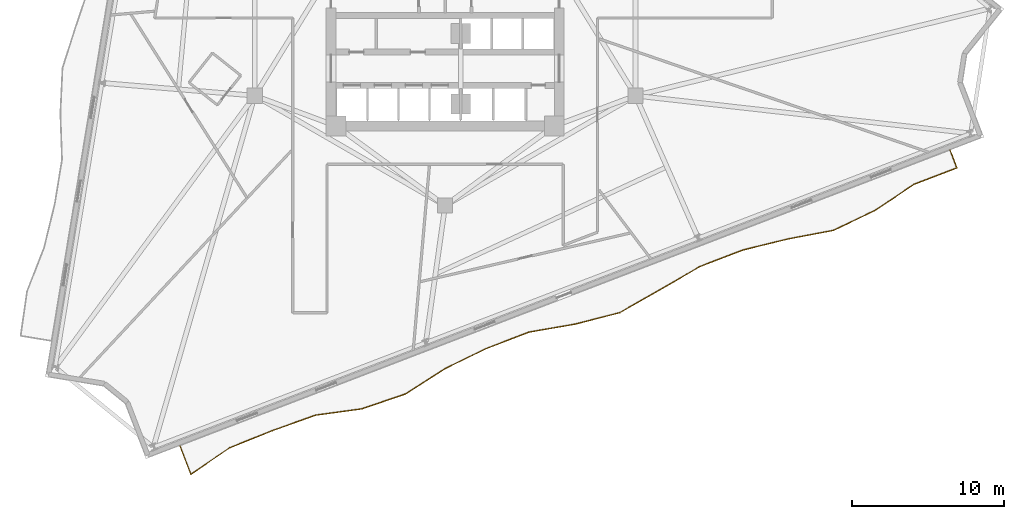
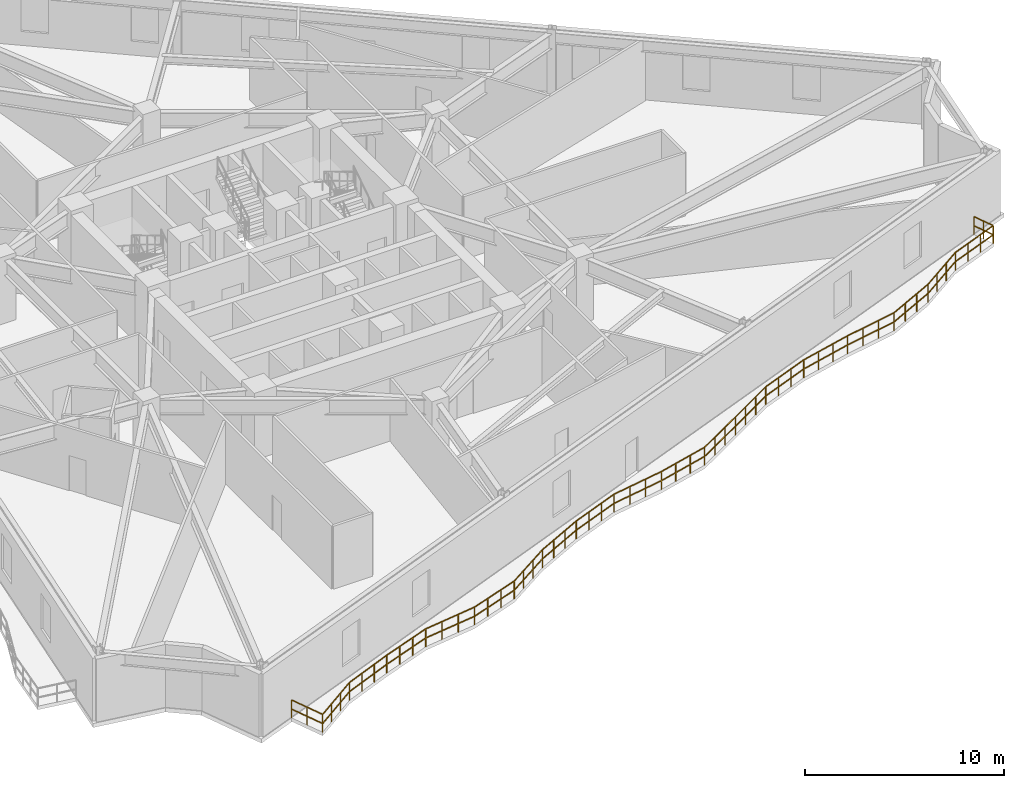
# One storey, part 8 of 11: 1 railing.
"""IFC4 building model written with IfcOpenShell, lengths in metres."""

from ifc_helpers import new_model, si_unit, direction, frame, origin, origin_2d, place, context, subcontext, project, spatial, rectangle, extrude, material, type_object, element, save


model = new_model("IFC4")

# Units and contexts
model_context = context("Model", 3, precision=1e-05, world=origin(), true_north=direction((0.0, 1.0)))
body_context = subcontext(model_context, "Body", "Model", "MODEL_VIEW")
ifc_project = project(units=[si_unit("LENGTHUNIT", "METRE"), si_unit("AREAUNIT", "SQUARE_METRE"), si_unit("VOLUMEUNIT", "CUBIC_METRE"), si_unit("PLANEANGLEUNIT", "RADIAN"), si_unit("MASSUNIT", "GRAM", prefix="KILO")], contexts=[model_context])

# Site, building, storey
site_placement = place(None, origin())
site = spatial("IfcSite", under=ifc_project, at=site_placement, CompositionType="ELEMENT")
building_placement = place(site_placement, origin())
building = spatial("IfcBuilding", under=site, at=building_placement, Name="Apsidion Concourse Tower", CompositionType="ELEMENT")
storey_placement = place(building_placement, frame((0.0, 0.0, 140.39990234375)))
storey = spatial("IfcBuildingStorey", under=building, at=storey_placement, Name="L32", CompositionType="ELEMENT", Elevation=140.39990234375)

# Railing
ifc_material = material(Name="Brushed stainless steel 316", Category="steel")
railing_type = type_object("IfcRailingType", Name="RL-BAL-1120", PredefinedType="BALUSTRADE", material=ifc_material)
railing_placement = place(storey_placement, frame((33.314208984375, -10.847900390625, 0.0)))
element("IfcRailing", 1, at=railing_placement, inside=storey, type_object=railing_type, Name="L32 Face 2 Rippling Balcony Balustrade", PredefinedType="BALUSTRADE", context=body_context, shape_type="SweptSolid", body=[
    extrude(rectangle(XDim=0.048095703125, YDim=0.048095703125, at=origin_2d()), frame((0.0, 0.0, 1.09619140625), z_axis=(0.358390063807, -0.933571937327, 0.0), x_axis=(0.933571937327, 0.358390063807, 0.0)), (0.0, 0.0, 1.0), 1.25),
    extrude(rectangle(XDim=0.048095703125, YDim=0.048095703125, at=origin_2d()), frame((0.0, 0.0, 0.5361328125), z_axis=(0.358390063807, -0.933571937327, 0.0), x_axis=(0.933571937327, 0.358390063807, 0.0)), (0.0, 0.0, 1.0), 1.25),
    extrude(rectangle(XDim=0.048095703125, YDim=0.048095703125, at=origin_2d()), frame((0.447998046875, -1.1669921875, 1.09619140625), z_axis=(-0.93357015714, -0.35839470099, 0.0), x_axis=(0.35839470099, -0.93357015714, 0.0)), (0.0, 0.0, 1.0), 3.02392578125),
    extrude(rectangle(XDim=0.048095703125, YDim=0.048095703125, at=origin_2d()), frame((0.447998046875, -1.1669921875, 0.5361328125), z_axis=(-0.93357015714, -0.35839470099, 0.0), x_axis=(0.35839470099, -0.93357015714, 0.0)), (0.0, 0.0, 1.0), 3.02392578125),
    extrude(rectangle(XDim=0.048095703125, YDim=0.048095703125, at=origin_2d()), frame((-2.375, -2.250732421875, 1.09619140625), z_axis=(-0.831128465171, -0.556080456754, 0.0), x_axis=(0.556080456754, -0.831128465171, 0.0)), (0.0, 0.0, 1.0), 3.1005859375),
    extrude(rectangle(XDim=0.048095703125, YDim=0.048095703125, at=origin_2d()), frame((-2.375, -2.250732421875, 0.5361328125), z_axis=(-0.831128465171, -0.556080456754, 0.0), x_axis=(0.556080456754, -0.831128465171, 0.0)), (0.0, 0.0, 1.0), 3.1005859375),
    extrude(rectangle(XDim=0.048095703125, YDim=0.048095703125, at=origin_2d()), frame((-4.951904296875, -3.974853515625, 1.09619140625), z_axis=(-0.901833015553, -0.432084727869, 0.0), x_axis=(0.432084727869, -0.901833015553, 0.0)), (0.0, 0.0, 1.0), 3.03369140625),
    extrude(rectangle(XDim=0.048095703125, YDim=0.048095703125, at=origin_2d()), frame((-4.951904296875, -3.974853515625, 0.5361328125), z_axis=(-0.901833015553, -0.432084727869, 0.0), x_axis=(0.432084727869, -0.901833015553, 0.0)), (0.0, 0.0, 1.0), 3.03369140625),
    extrude(rectangle(XDim=0.048095703125, YDim=0.048095703125, at=origin_2d()), frame((-7.687744140625, -5.28564453125, 1.09619140625), z_axis=(-0.9823336974, -0.18713766845, 0.0), x_axis=(0.18713766845, -0.9823336974, 0.0)), (0.0, 0.0, 1.0), 3.072265625),
    extrude(rectangle(XDim=0.048095703125, YDim=0.048095703125, at=origin_2d()), frame((-7.687744140625, -5.28564453125, 0.5361328125), z_axis=(-0.9823336974, -0.18713766845, 0.0), x_axis=(0.18713766845, -0.9823336974, 0.0)), (0.0, 0.0, 1.0), 3.072265625),
    extrude(rectangle(XDim=0.048095703125, YDim=0.048095703125, at=origin_2d()), frame((-10.705810546875, -5.860595703125, 1.09619140625), z_axis=(-0.971332046535, -0.237726850344, 0.0), x_axis=(0.237726850344, -0.971332046535, 0.0)), (0.0, 0.0, 1.0), 3.048095703125),
    extrude(rectangle(XDim=0.048095703125, YDim=0.048095703125, at=origin_2d()), frame((-10.705810546875, -5.860595703125, 0.5361328125), z_axis=(-0.971332046535, -0.237726850344, 0.0), x_axis=(0.237726850344, -0.971332046535, 0.0)), (0.0, 0.0, 1.0), 3.048095703125),
    extrude(rectangle(XDim=0.048095703125, YDim=0.048095703125, at=origin_2d()), frame((-13.66650390625, -6.585205078125, 1.09619140625), z_axis=(-0.933597169026, -0.358324330722, 0.0), x_axis=(0.358324330722, -0.933597169026, 0.0)), (0.0, 0.0, 1.0), 3.023681640625),
    extrude(rectangle(XDim=0.048095703125, YDim=0.048095703125, at=origin_2d()), frame((-13.66650390625, -6.585205078125, 0.5361328125), z_axis=(-0.933597169026, -0.358324330722, 0.0), x_axis=(0.358324330722, -0.933597169026, 0.0)), (0.0, 0.0, 1.0), 3.023681640625),
    extrude(rectangle(XDim=0.048095703125, YDim=0.048095703125, at=origin_2d()), frame((-16.489501953125, -7.668701171875, 1.09619140625), z_axis=(-0.864892772941, -0.501956662785, 0.0), x_axis=(0.501956662785, -0.864892772941, 0.0)), (0.0, 0.0, 1.0), 3.062744140625),
    extrude(rectangle(XDim=0.048095703125, YDim=0.048095703125, at=origin_2d()), frame((-16.489501953125, -7.668701171875, 0.5361328125), z_axis=(-0.864892772941, -0.501956662785, 0.0), x_axis=(0.501956662785, -0.864892772941, 0.0)), (0.0, 0.0, 1.0), 3.062744140625),
    extrude(rectangle(XDim=0.048095703125, YDim=0.048095703125, at=origin_2d()), frame((-19.138427734375, -9.2060546875, 1.09619140625), z_axis=(-0.868861393275, -0.495055430509, 0.0), x_axis=(0.495055430509, -0.868861393275, 0.0)), (0.0, 0.0, 1.0), 3.05859375),
    extrude(rectangle(XDim=0.048095703125, YDim=0.048095703125, at=origin_2d()), frame((-19.138427734375, -9.2060546875, 0.5361328125), z_axis=(-0.868861393275, -0.495055430509, 0.0), x_axis=(0.495055430509, -0.868861393275, 0.0)), (0.0, 0.0, 1.0), 3.05859375),
    extrude(rectangle(XDim=0.048095703125, YDim=0.048095703125, at=origin_2d()), frame((-21.7958984375, -10.72021484375, 1.09619140625), z_axis=(-0.968492932597, -0.249041039811, 0.0), x_axis=(0.249041039811, -0.968492932597, 0.0)), (0.0, 0.0, 1.0), 3.0439453125),
    extrude(rectangle(XDim=0.048095703125, YDim=0.048095703125, at=origin_2d()), frame((-21.7958984375, -10.72021484375, 0.5361328125), z_axis=(-0.968492932597, -0.249041039811, 0.0), x_axis=(0.249041039811, -0.968492932597, 0.0)), (0.0, 0.0, 1.0), 3.0439453125),
    extrude(rectangle(XDim=0.048095703125, YDim=0.048095703125, at=origin_2d()), frame((-24.743896484375, -11.478271484375, 1.09619140625), z_axis=(-0.98538043756, -0.170368404565, 0.0), x_axis=(0.170368404565, -0.98538043756, 0.0)), (0.0, 0.0, 1.0), 3.08251953125),
    extrude(rectangle(XDim=0.048095703125, YDim=0.048095703125, at=origin_2d()), frame((-24.743896484375, -11.478271484375, 0.5361328125), z_axis=(-0.98538043756, -0.170368404565, 0.0), x_axis=(0.170368404565, -0.98538043756, 0.0)), (0.0, 0.0, 1.0), 3.08251953125),
    extrude(rectangle(XDim=0.048095703125, YDim=0.048095703125, at=origin_2d()), frame((-27.78125, -12.00341796875, 1.09619140625), z_axis=(-0.933597169026, -0.358324330722, 0.0), x_axis=(0.358324330722, -0.933597169026, 0.0)), (0.0, 0.0, 1.0), 3.023681640625),
    extrude(rectangle(XDim=0.048095703125, YDim=0.048095703125, at=origin_2d()), frame((-27.78125, -12.00341796875, 0.5361328125), z_axis=(-0.933597169026, -0.358324330722, 0.0), x_axis=(0.358324330722, -0.933597169026, 0.0)), (0.0, 0.0, 1.0), 3.023681640625),
    extrude(rectangle(XDim=0.048095703125, YDim=0.048095703125, at=origin_2d()), frame((-30.604248046875, -13.0869140625, 1.09619140625), z_axis=(-0.898949262474, -0.438052763371, 0.0), x_axis=(0.438052763371, -0.898949262474, 0.0)), (0.0, 0.0, 1.0), 3.03515625),
    extrude(rectangle(XDim=0.048095703125, YDim=0.048095703125, at=origin_2d()), frame((-30.604248046875, -13.0869140625, 0.5361328125), z_axis=(-0.898949262474, -0.438052763371, 0.0), x_axis=(0.438052763371, -0.898949262474, 0.0)), (0.0, 0.0, 1.0), 3.03515625),
    extrude(rectangle(XDim=0.048095703125, YDim=0.048095703125, at=origin_2d()), frame((-33.332763671875, -14.41650390625, 1.09619140625), z_axis=(-0.841748318247, -0.539870140615, 0.0), x_axis=(0.539870140615, -0.841748318247, 0.0)), (0.0, 0.0, 1.0), 3.087646484375),
    extrude(rectangle(XDim=0.048095703125, YDim=0.048095703125, at=origin_2d()), frame((-33.332763671875, -14.41650390625, 0.5361328125), z_axis=(-0.841748318247, -0.539870140615, 0.0), x_axis=(0.539870140615, -0.841748318247, 0.0)), (0.0, 0.0, 1.0), 3.087646484375),
    extrude(rectangle(XDim=0.048095703125, YDim=0.048095703125, at=origin_2d()), frame((-35.931884765625, -16.08349609375, 1.09619140625), z_axis=(-0.946185442012, -0.323624951642, 0.0), x_axis=(0.323624951642, -0.946185442012, 0.0)), (0.0, 0.0, 1.0), 3.02587890625),
    extrude(rectangle(XDim=0.048095703125, YDim=0.048095703125, at=origin_2d()), frame((-35.931884765625, -16.08349609375, 0.5361328125), z_axis=(-0.946185442012, -0.323624951642, 0.0), x_axis=(0.323624951642, -0.946185442012, 0.0)), (0.0, 0.0, 1.0), 3.02587890625),
    extrude(rectangle(XDim=0.048095703125, YDim=0.048095703125, at=origin_2d()), frame((-38.794921875, -17.062744140625, 1.09619140625), z_axis=(-0.990708256706, -0.136004228226, 0.0), x_axis=(0.136004228226, -0.990708256706, 0.0)), (0.0, 0.0, 1.0), 3.10546875),
    extrude(rectangle(XDim=0.048095703125, YDim=0.048095703125, at=origin_2d()), frame((-38.794921875, -17.062744140625, 0.5361328125), z_axis=(-0.990708256706, -0.136004228226, 0.0), x_axis=(0.136004228226, -0.990708256706, 0.0)), (0.0, 0.0, 1.0), 3.10546875),
    extrude(rectangle(XDim=0.048095703125, YDim=0.048095703125, at=origin_2d()), frame((-41.87158203125, -17.485107421875, 1.09619140625), z_axis=(-0.941443862858, -0.337169768941, 0.0), x_axis=(0.337169768941, -0.941443862858, 0.0)), (0.0, 0.0, 1.0), 3.0244140625),
    extrude(rectangle(XDim=0.048095703125, YDim=0.048095703125, at=origin_2d()), frame((-41.87158203125, -17.485107421875, 0.5361328125), z_axis=(-0.941443862858, -0.337169768941, 0.0), x_axis=(0.337169768941, -0.941443862858, 0.0)), (0.0, 0.0, 1.0), 3.0244140625),
    extrude(rectangle(XDim=0.048095703125, YDim=0.048095703125, at=origin_2d()), frame((-44.718994140625, -18.5048828125, 1.09619140625), z_axis=(-0.928030597377, -0.37250397358, 0.0), x_axis=(0.37250397358, -0.928030597377, 0.0)), (0.0, 0.0, 1.0), 3.02392578125),
    extrude(rectangle(XDim=0.048095703125, YDim=0.048095703125, at=origin_2d()), frame((-44.718994140625, -18.5048828125, 0.5361328125), z_axis=(-0.928030597377, -0.37250397358, 0.0), x_axis=(0.37250397358, -0.928030597377, 0.0)), (0.0, 0.0, 1.0), 3.02392578125),
    extrude(rectangle(XDim=0.048095703125, YDim=0.048095703125, at=origin_2d()), frame((-47.525390625, -19.63134765625, 1.09619140625), z_axis=(-0.826238979589, -0.563319756983, 0.0), x_axis=(0.563319756983, -0.826238979589, 0.0)), (0.0, 0.0, 1.0), 3.10693359375),
    extrude(rectangle(XDim=0.048095703125, YDim=0.048095703125, at=origin_2d()), frame((-47.525390625, -19.63134765625, 0.5361328125), z_axis=(-0.826238979589, -0.563319756983, 0.0), x_axis=(0.563319756983, -0.826238979589, 0.0)), (0.0, 0.0, 1.0), 3.10693359375),
    extrude(rectangle(XDim=0.048095703125, YDim=0.048095703125, at=origin_2d()), frame((-50.092529296875, -21.381591796875, 1.09619140625), z_axis=(-0.358368467375, 0.933580227721, 0.0), x_axis=(-0.933580227721, -0.358368467375, 0.0)), (0.0, 0.0, 1.0), 2.009765625),
    extrude(rectangle(XDim=0.048095703125, YDim=0.048095703125, at=origin_2d()), frame((-50.092529296875, -21.381591796875, 0.5361328125), z_axis=(-0.358368467375, 0.933580227721, 0.0), x_axis=(-0.933580227721, -0.358368467375, 0.0)), (0.0, 0.0, 1.0), 2.009765625),
    extrude(rectangle(XDim=0.0419921875, YDim=0.0419921875, at=origin_2d()), origin(), (0.0, 0.0, 1.0), 1.072021484375),
    extrude(rectangle(XDim=0.0419921875, YDim=0.0419921875, at=origin_2d()), frame((0.22412109375, -0.58349609375, 0.0)), (0.0, 0.0, 1.0), 1.072021484375),
    extrude(rectangle(XDim=0.0419921875, YDim=0.0419921875, at=origin_2d()), frame((0.447998046875, -1.1669921875, 0.0)), (0.0, 0.0, 1.0), 1.072021484375),
    extrude(rectangle(XDim=0.0419921875, YDim=0.0419921875, at=origin_2d()), frame((-0.492919921875, -1.5283203125, 0.0)), (0.0, 0.0, 1.0), 1.072021484375),
    extrude(rectangle(XDim=0.0419921875, YDim=0.0419921875, at=origin_2d()), frame((-1.43408203125, -1.889404296875, 0.0)), (0.0, 0.0, 1.0), 1.072021484375),
    extrude(rectangle(XDim=0.0419921875, YDim=0.0419921875, at=origin_2d()), frame((-2.375, -2.250732421875, 0.0)), (0.0, 0.0, 1.0), 1.072021484375),
    extrude(rectangle(XDim=0.0419921875, YDim=0.0419921875, at=origin_2d()), frame((-3.23388671875, -2.825439453125, 0.0)), (0.0, 0.0, 1.0), 1.072021484375),
    extrude(rectangle(XDim=0.0419921875, YDim=0.0419921875, at=origin_2d()), frame((-4.093017578125, -3.400146484375, 0.0)), (0.0, 0.0, 1.0), 1.072021484375),
    extrude(rectangle(XDim=0.0419921875, YDim=0.0419921875, at=origin_2d()), frame((-4.951904296875, -3.974853515625, 0.0)), (0.0, 0.0, 1.0), 1.072021484375),
    extrude(rectangle(XDim=0.0419921875, YDim=0.0419921875, at=origin_2d()), frame((-5.86376953125, -4.411865234375, 0.0)), (0.0, 0.0, 1.0), 1.072021484375),
    extrude(rectangle(XDim=0.0419921875, YDim=0.0419921875, at=origin_2d()), frame((-6.77587890625, -4.8486328125, 0.0)), (0.0, 0.0, 1.0), 1.072021484375),
    extrude(rectangle(XDim=0.0419921875, YDim=0.0419921875, at=origin_2d()), frame((-7.687744140625, -5.28564453125, 0.0)), (0.0, 0.0, 1.0), 1.072021484375),
    extrude(rectangle(XDim=0.0419921875, YDim=0.0419921875, at=origin_2d()), frame((-8.69384765625, -5.477294921875, 0.0)), (0.0, 0.0, 1.0), 1.072021484375),
    extrude(rectangle(XDim=0.0419921875, YDim=0.0419921875, at=origin_2d()), frame((-9.69970703125, -5.6689453125, 0.0)), (0.0, 0.0, 1.0), 1.072021484375),
    extrude(rectangle(XDim=0.0419921875, YDim=0.0419921875, at=origin_2d()), frame((-10.705810546875, -5.860595703125, 0.0)), (0.0, 0.0, 1.0), 1.072021484375),
    extrude(rectangle(XDim=0.0419921875, YDim=0.0419921875, at=origin_2d()), frame((-11.692626953125, -6.10205078125, 0.0)), (0.0, 0.0, 1.0), 1.072021484375),
    extrude(rectangle(XDim=0.0419921875, YDim=0.0419921875, at=origin_2d()), frame((-12.6796875, -6.34375, 0.0)), (0.0, 0.0, 1.0), 1.072021484375),
    extrude(rectangle(XDim=0.0419921875, YDim=0.0419921875, at=origin_2d()), frame((-13.66650390625, -6.585205078125, 0.0)), (0.0, 0.0, 1.0), 1.072021484375),
    extrude(rectangle(XDim=0.0419921875, YDim=0.0419921875, at=origin_2d()), frame((-14.607421875, -6.9462890625, 0.0)), (0.0, 0.0, 1.0), 1.072021484375),
    extrude(rectangle(XDim=0.0419921875, YDim=0.0419921875, at=origin_2d()), frame((-15.548583984375, -7.3076171875, 0.0)), (0.0, 0.0, 1.0), 1.072021484375),
    extrude(rectangle(XDim=0.0419921875, YDim=0.0419921875, at=origin_2d()), frame((-16.489501953125, -7.668701171875, 0.0)), (0.0, 0.0, 1.0), 1.072021484375),
    extrude(rectangle(XDim=0.0419921875, YDim=0.0419921875, at=origin_2d()), frame((-17.37255859375, -8.18115234375, 0.0)), (0.0, 0.0, 1.0), 1.072021484375),
    extrude(rectangle(XDim=0.0419921875, YDim=0.0419921875, at=origin_2d()), frame((-18.25537109375, -8.693603515625, 0.0)), (0.0, 0.0, 1.0), 1.072021484375),
    extrude(rectangle(XDim=0.0419921875, YDim=0.0419921875, at=origin_2d()), frame((-19.138427734375, -9.2060546875, 0.0)), (0.0, 0.0, 1.0), 1.072021484375),
    extrude(rectangle(XDim=0.0419921875, YDim=0.0419921875, at=origin_2d()), frame((-20.024169921875, -9.710693359375, 0.0)), (0.0, 0.0, 1.0), 1.072021484375),
    extrude(rectangle(XDim=0.0419921875, YDim=0.0419921875, at=origin_2d()), frame((-20.91015625, -10.215576171875, 0.0)), (0.0, 0.0, 1.0), 1.072021484375),
    extrude(rectangle(XDim=0.0419921875, YDim=0.0419921875, at=origin_2d()), frame((-21.7958984375, -10.72021484375, 0.0)), (0.0, 0.0, 1.0), 1.072021484375),
    extrude(rectangle(XDim=0.0419921875, YDim=0.0419921875, at=origin_2d()), frame((-22.778564453125, -10.972900390625, 0.0)), (0.0, 0.0, 1.0), 1.072021484375),
    extrude(rectangle(XDim=0.0419921875, YDim=0.0419921875, at=origin_2d()), frame((-23.76123046875, -11.2255859375, 0.0)), (0.0, 0.0, 1.0), 1.072021484375),
    extrude(rectangle(XDim=0.0419921875, YDim=0.0419921875, at=origin_2d()), frame((-24.743896484375, -11.478271484375, 0.0)), (0.0, 0.0, 1.0), 1.072021484375),
    extrude(rectangle(XDim=0.0419921875, YDim=0.0419921875, at=origin_2d()), frame((-25.75634765625, -11.6533203125, 0.0)), (0.0, 0.0, 1.0), 1.072021484375),
    extrude(rectangle(XDim=0.0419921875, YDim=0.0419921875, at=origin_2d()), frame((-26.768798828125, -11.828369140625, 0.0)), (0.0, 0.0, 1.0), 1.072021484375),
    extrude(rectangle(XDim=0.0419921875, YDim=0.0419921875, at=origin_2d()), frame((-27.78125, -12.00341796875, 0.0)), (0.0, 0.0, 1.0), 1.072021484375),
    extrude(rectangle(XDim=0.0419921875, YDim=0.0419921875, at=origin_2d()), frame((-28.72216796875, -12.364501953125, 0.0)), (0.0, 0.0, 1.0), 1.072021484375),
    extrude(rectangle(XDim=0.0419921875, YDim=0.0419921875, at=origin_2d()), frame((-29.663330078125, -12.725830078125, 0.0)), (0.0, 0.0, 1.0), 1.072021484375),
    extrude(rectangle(XDim=0.0419921875, YDim=0.0419921875, at=origin_2d()), frame((-30.604248046875, -13.0869140625, 0.0)), (0.0, 0.0, 1.0), 1.072021484375),
    extrude(rectangle(XDim=0.0419921875, YDim=0.0419921875, at=origin_2d()), frame((-31.513671875, -13.530029296875, 0.0)), (0.0, 0.0, 1.0), 1.072021484375),
    extrude(rectangle(XDim=0.0419921875, YDim=0.0419921875, at=origin_2d()), frame((-32.42333984375, -13.973388671875, 0.0)), (0.0, 0.0, 1.0), 1.072021484375),
    extrude(rectangle(XDim=0.0419921875, YDim=0.0419921875, at=origin_2d()), frame((-33.332763671875, -14.41650390625, 0.0)), (0.0, 0.0, 1.0), 1.072021484375),
    extrude(rectangle(XDim=0.0419921875, YDim=0.0419921875, at=origin_2d()), frame((-34.19921875, -14.97216796875, 0.0)), (0.0, 0.0, 1.0), 1.072021484375),
    extrude(rectangle(XDim=0.0419921875, YDim=0.0419921875, at=origin_2d()), frame((-35.0654296875, -15.52783203125, 0.0)), (0.0, 0.0, 1.0), 1.072021484375),
    extrude(rectangle(XDim=0.0419921875, YDim=0.0419921875, at=origin_2d()), frame((-35.931884765625, -16.08349609375, 0.0)), (0.0, 0.0, 1.0), 1.072021484375),
    extrude(rectangle(XDim=0.0419921875, YDim=0.0419921875, at=origin_2d()), frame((-36.88623046875, -16.409912109375, 0.0)), (0.0, 0.0, 1.0), 1.072021484375),
    extrude(rectangle(XDim=0.0419921875, YDim=0.0419921875, at=origin_2d()), frame((-37.840576171875, -16.736328125, 0.0)), (0.0, 0.0, 1.0), 1.072021484375),
    extrude(rectangle(XDim=0.0419921875, YDim=0.0419921875, at=origin_2d()), frame((-38.794921875, -17.062744140625, 0.0)), (0.0, 0.0, 1.0), 1.072021484375),
    extrude(rectangle(XDim=0.0419921875, YDim=0.0419921875, at=origin_2d()), frame((-39.820556640625, -17.20361328125, 0.0)), (0.0, 0.0, 1.0), 1.072021484375),
    extrude(rectangle(XDim=0.0419921875, YDim=0.0419921875, at=origin_2d()), frame((-40.845947265625, -17.34423828125, 0.0)), (0.0, 0.0, 1.0), 1.072021484375),
    extrude(rectangle(XDim=0.0419921875, YDim=0.0419921875, at=origin_2d()), frame((-41.87158203125, -17.485107421875, 0.0)), (0.0, 0.0, 1.0), 1.072021484375),
    extrude(rectangle(XDim=0.0419921875, YDim=0.0419921875, at=origin_2d()), frame((-42.82080078125, -17.824951171875, 0.0)), (0.0, 0.0, 1.0), 1.072021484375),
    extrude(rectangle(XDim=0.0419921875, YDim=0.0419921875, at=origin_2d()), frame((-43.769775390625, -18.1650390625, 0.0)), (0.0, 0.0, 1.0), 1.072021484375),
    extrude(rectangle(XDim=0.0419921875, YDim=0.0419921875, at=origin_2d()), frame((-44.718994140625, -18.5048828125, 0.0)), (0.0, 0.0, 1.0), 1.072021484375),
    extrude(rectangle(XDim=0.0419921875, YDim=0.0419921875, at=origin_2d()), frame((-45.654541015625, -18.88037109375, 0.0)), (0.0, 0.0, 1.0), 1.072021484375),
    extrude(rectangle(XDim=0.0419921875, YDim=0.0419921875, at=origin_2d()), frame((-46.58984375, -19.255859375, 0.0)), (0.0, 0.0, 1.0), 1.072021484375),
    extrude(rectangle(XDim=0.0419921875, YDim=0.0419921875, at=origin_2d()), frame((-47.525390625, -19.63134765625, 0.0)), (0.0, 0.0, 1.0), 1.072021484375),
    extrude(rectangle(XDim=0.0419921875, YDim=0.0419921875, at=origin_2d()), frame((-48.381103515625, -20.21484375, 0.0)), (0.0, 0.0, 1.0), 1.072021484375),
    extrude(rectangle(XDim=0.0419921875, YDim=0.0419921875, at=origin_2d()), frame((-49.23681640625, -20.798095703125, 0.0)), (0.0, 0.0, 1.0), 1.072021484375),
    extrude(rectangle(XDim=0.0419921875, YDim=0.0419921875, at=origin_2d()), frame((-50.092529296875, -21.381591796875, 0.0)), (0.0, 0.0, 1.0), 1.072021484375),
    extrude(rectangle(XDim=0.0419921875, YDim=0.0419921875, at=origin_2d()), frame((-50.45263671875, -20.443359375, 0.0)), (0.0, 0.0, 1.0), 1.072021484375),
    extrude(rectangle(XDim=0.0419921875, YDim=0.0419921875, at=origin_2d()), frame((-50.812744140625, -19.50537109375, 0.0)), (0.0, 0.0, 1.0), 1.072021484375),
])

save(model, "model.ifc")
